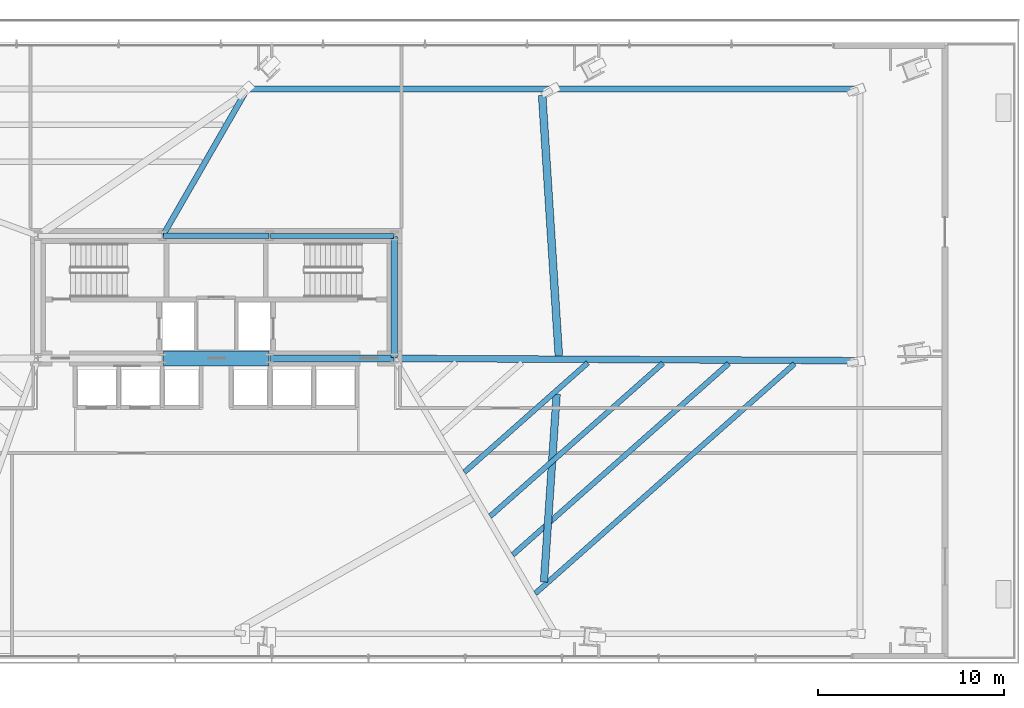
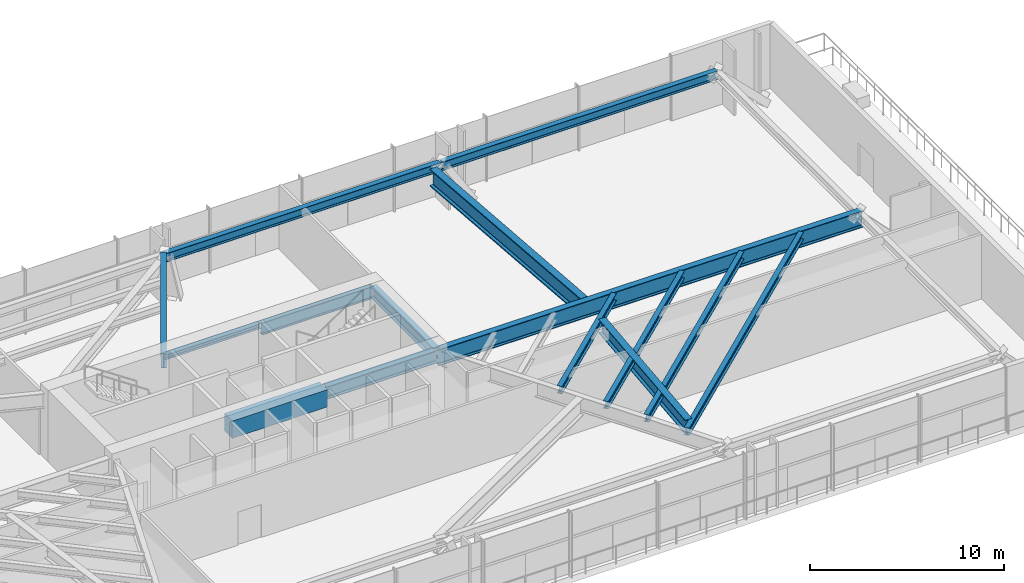
# One storey, part 15 of 33: 15 beams.
"""IFC4 building model written with IfcOpenShell, lengths in metres."""

import ifcopenshell
import ifcopenshell.guid

model = None  # the IFC model being written
_history = None  # IfcOwnerHistory: only IFC2X3 demands one
_inside = {}  # id of a spatial element -> (the spatial element, [elements in it])
_under = {}  # id of a project, library or spatial element -> (it, [spatial elements below it])
_declared = {}  # id of a project -> (the project, [libraries it declares])
_typed = {}  # id of a type object -> (the type object, [elements of that type])
_made_of = {}  # id of a material, layer set ... -> (it, [elements and type objects made of it])


def new_model(schema):
    """Start an empty IFC model of exactly this schema.

    Asked for "IFC4X3", IfcOpenShell would pick the latest addendum, in which some entities
    have other attributes; the version numbers below select the first issue.
    IFC2X3 requires an IfcOwnerHistory on every rooted entity: one is made here for all.
    """
    global model, _history
    if schema == "IFC4X3":
        model = ifcopenshell.file(schema_version=(4, 3, 0, 0))
    else:
        model = ifcopenshell.file(schema=schema)
    _inside.clear()
    _under.clear()
    _declared.clear()
    _typed.clear()
    _made_of.clear()
    _history = None
    if model.schema == "IFC2X3":
        org = make("IfcOrganization", Name="unknown")
        user = make(
            "IfcPersonAndOrganization",
            ThePerson=make("IfcPerson", FamilyName="unknown"),
            TheOrganization=org,
        )
        app = make(
            "IfcApplication",
            ApplicationDeveloper=org,
            Version="unknown",
            ApplicationFullName="unknown",
            ApplicationIdentifier="unknown",
        )
        _history = make(
            "IfcOwnerHistory",
            OwningUser=user,
            OwningApplication=app,
            ChangeAction="ADDED",
            CreationDate=0,
        )
    return model


def make(cls, **values):
    """One entity of the class cls with the attributes given. An attribute that is None is left unset."""
    return model.create_entity(
        cls, **{name: value for name, value in values.items() if value is not None}
    )


def rooted(cls, **values):
    """An entity with a GlobalId (a new one), such as an element, a storey or a relation."""
    return make(cls, GlobalId=ifcopenshell.guid.new(), OwnerHistory=_history, **values)


def si_unit(unit_type, name, prefix=None):
    """IfcSIUnit, for example si_unit("LENGTHUNIT", "METRE", prefix="MILLI")."""
    return make("IfcSIUnit", UnitType=unit_type, Prefix=prefix, Name=name)


def assignment(units):
    """IfcUnitAssignment: the units of a project."""
    return None if units is None else make("IfcUnitAssignment", Units=units)


def point(xyz):
    """IfcCartesianPoint."""
    return None if xyz is None else make("IfcCartesianPoint", Coordinates=xyz)


def direction(xyz):
    """IfcDirection."""
    return None if xyz is None else make("IfcDirection", DirectionRatios=xyz)


def frame(location, z_axis=None, x_axis=None):
    """IfcAxis2Placement3D, a coordinate frame: its origin and axes. An axis left out is left unset."""
    return make(
        "IfcAxis2Placement3D",
        Location=point(location),
        Axis=direction(z_axis),
        RefDirection=direction(x_axis),
    )


def frame_2d(location, x_axis=None):
    """IfcAxis2Placement2D, a coordinate frame in the plane: its origin and x axis."""
    return make(
        "IfcAxis2Placement2D", Location=point(location), RefDirection=direction(x_axis)
    )


def origin():
    """The frame at (0, 0, 0) with its axes left unset."""
    return frame((0.0, 0.0, 0.0))


def origin_2d():
    """The frame at (0, 0) in the plane with its x axis left unset."""
    return frame_2d((0.0, 0.0))


def place(relative_to, where):
    """IfcLocalPlacement: puts the frame where relative to a parent placement (None: the world)."""
    return make(
        "IfcLocalPlacement", PlacementRelTo=relative_to, RelativePlacement=where
    )


def context(
    kind, dimensions, precision=None, world=None, true_north=None, identifier=None
):
    """IfcGeometricRepresentationContext, for example the 3D "Model" context."""
    return make(
        "IfcGeometricRepresentationContext",
        ContextIdentifier=identifier,
        ContextType=kind,
        CoordinateSpaceDimension=dimensions,
        Precision=precision,
        WorldCoordinateSystem=world,
        TrueNorth=true_north,
    )


def subcontext(parent, identifier, kind, view, scale=None):
    """IfcGeometricRepresentationSubContext, for example "Body" below "Model"."""
    return make(
        "IfcGeometricRepresentationSubContext",
        ContextIdentifier=identifier,
        ContextType=kind,
        ParentContext=parent,
        TargetScale=scale,
        TargetView=view,
    )


def project(units=None, contexts=None):
    """IfcProject with its units and contexts."""
    return rooted(
        "IfcProject",
        Name="project",
        RepresentationContexts=contexts,
        UnitsInContext=assignment(units),
    )


def spatial(cls, under=None, at=None, **own):
    """A site, building, storey or space (cls), placed at a placement, below another one or the project."""
    s = rooted(cls, ObjectPlacement=at, **own)
    if under is not None:
        _under.setdefault(under.id(), (under, []))[1].append(s)
    return s


def profile(cls, at=None, kind="AREA", **sizes):
    """A parametric profile (cls). Its sizes go by their IFC names, for example OverallWidth=200.0."""
    return make(cls, ProfileType=kind, Position=at, **sizes)


def rectangle(**sizes):
    """IfcRectangleProfileDef."""
    return profile("IfcRectangleProfileDef", **sizes)


def i_section(**sizes):
    """IfcIShapeProfileDef."""
    return profile("IfcIShapeProfileDef", **sizes)


def extrude(swept, where, along, depth):
    """IfcExtrudedAreaSolid: the profile swept, set in the frame where, extruded along a direction by depth."""
    return make(
        "IfcExtrudedAreaSolid",
        SweptArea=swept,
        Position=where,
        ExtrudedDirection=direction(along),
        Depth=depth,
    )


def shape(context_of_items, identifier, shape_type, items):
    """IfcShapeRepresentation: the items that make up one representation, for example the "Body"."""
    return make(
        "IfcShapeRepresentation",
        ContextOfItems=context_of_items,
        RepresentationIdentifier=identifier,
        RepresentationType=shape_type,
        Items=items,
    )


def source(mapping_origin, context_of_items, identifier, shape_type, items):
    """IfcRepresentationMap: a shape defined once, which mapped items show again and again."""
    return make(
        "IfcRepresentationMap",
        MappingOrigin=mapping_origin,
        MappedRepresentation=shape(context_of_items, identifier, shape_type, items),
    )


def transform(
    local_origin,
    x_axis=None,
    y_axis=None,
    z_axis=None,
    scale=None,
    scale2=None,
    scale3=None,
    uniform=True,
):
    """IfcCartesianTransformationOperator3D, or its non-uniform kind. x_axis, y_axis, z_axis: its Axis1, 2, 3."""
    if uniform:
        return make(
            "IfcCartesianTransformationOperator3D",
            Axis1=direction(x_axis),
            Axis2=direction(y_axis),
            LocalOrigin=point(local_origin),
            Scale=scale,
            Axis3=direction(z_axis),
        )
    return make(
        "IfcCartesianTransformationOperator3DnonUniform",
        Axis1=direction(x_axis),
        Axis2=direction(y_axis),
        LocalOrigin=point(local_origin),
        Scale=scale,
        Axis3=direction(z_axis),
        Scale2=scale2,
        Scale3=scale3,
    )


def mapped(mapping_source, mapping_target):
    """IfcMappedItem: shows the shape of a source again, moved by a transform."""
    return make(
        "IfcMappedItem", MappingSource=mapping_source, MappingTarget=mapping_target
    )


def material(Name=None, Category=None):
    """IfcMaterial."""
    return make("IfcMaterial", Name=Name, Category=Category)


def material_profile(
    of_material, cross_section, Name=None, Category=None, Priority=None
):
    """IfcMaterialProfile: a cross section and its material."""
    return make(
        "IfcMaterialProfile",
        Name=Name,
        Material=of_material,
        Profile=cross_section,
        Priority=Priority,
        Category=Category,
    )


def profile_set(profiles, Name=None, composite=None):
    """IfcMaterialProfileSet."""
    return make(
        "IfcMaterialProfileSet",
        Name=Name,
        MaterialProfiles=profiles,
        CompositeProfile=composite,
    )


def made_of(thing, what):
    """Note that an element or type object is made of a material, layer set ...; save() writes the relation."""
    if what is not None:
        _made_of.setdefault(what.id(), (what, []))[1].append(thing)
    return thing


def type_object(cls, material=None, **own):
    """A type object (cls), such as IfcWallType, which elements share."""
    return made_of(rooted(cls, **own), material)


def type_shapes(of_type, sources):
    """Give a type object the sources (RepresentationMaps) that its elements show as mapped items."""
    of_type.RepresentationMaps = sources


def element(
    cls,
    number,
    at=None,
    inside=None,
    cuts=None,
    type_object=None,
    material=None,
    context=None,
    identifier="Body",
    shape_type=None,
    held_by="IfcProductDefinitionShape",
    body=None,
    shapes=None,
    **own,
):
    """One element of the class cls, such as IfcWall. Its Tag is "e" and its number.

    at: its placement. inside: the storey or other place that contains it. cuts: it is an
    opening in that element (IfcRelVoidsElement). A single representation is given by context,
    identifier, shape_type and body (its items); several are given by shapes. held_by: the class
    of the entity that holds the representations. save() writes the other relations.
    """
    e = rooted(cls, Tag="e%d" % number, ObjectPlacement=at, **own)
    if body is not None:
        shapes = [shape(context, identifier, shape_type, body)]
    if shapes is not None:
        e.Representation = make(held_by, Representations=shapes)
    if inside is not None:
        _inside.setdefault(inside.id(), (inside, []))[1].append(e)
    if cuts is not None:
        rooted(
            "IfcRelVoidsElement", RelatingBuildingElement=cuts, RelatedOpeningElement=e
        )
    if type_object is not None:
        _typed.setdefault(type_object.id(), (type_object, []))[1].append(e)
    return made_of(e, material)


def aggregate(whole, parts):
    """IfcRelAggregates: a whole, such as a stair, and the parts it consists of."""
    return rooted("IfcRelAggregates", RelatingObject=whole, RelatedObjects=parts)


def save(model, path):
    """Write the relations noted so far, then the file.

    IfcRelAggregates (storeys below a building ...), IfcRelContainedInSpatialStructure (elements
    in a storey), IfcRelDefinesByType, IfcRelAssociatesMaterial and IfcRelDeclares: one each for
    every whole, place, type object, material and project.
    """
    for whole, parts in _under.values():
        aggregate(whole, parts)
    for where, things in _inside.values():
        rooted(
            "IfcRelContainedInSpatialStructure",
            RelatedElements=things,
            RelatingStructure=where,
        )
    for kind, things in _typed.values():
        rooted("IfcRelDefinesByType", RelatedObjects=things, RelatingType=kind)
    for what, things in _made_of.values():
        rooted("IfcRelAssociatesMaterial", RelatedObjects=things, RelatingMaterial=what)
    for by, libraries in _declared.values():
        rooted("IfcRelDeclares", RelatingContext=by, RelatedDefinitions=libraries)
    model.write(path)


model = new_model("IFC4")

# Units and contexts
model_context = context("Model", 3, precision=1e-05, world=origin(), true_north=direction((0.0, 1.0)))
body_context = subcontext(model_context, "Body", "Model", "MODEL_VIEW")
ifc_project = project(units=[si_unit("LENGTHUNIT", "METRE"), si_unit("AREAUNIT", "SQUARE_METRE"), si_unit("VOLUMEUNIT", "CUBIC_METRE"), si_unit("PLANEANGLEUNIT", "RADIAN"), si_unit("MASSUNIT", "GRAM", prefix="KILO")], contexts=[model_context])

# Site, building, storey
site_placement = place(None, origin())
site = spatial("IfcSite", under=ifc_project, at=site_placement, CompositionType="ELEMENT")
building_placement = place(site_placement, origin())
building = spatial("IfcBuilding", under=site, at=building_placement, Name="Astriad Promenade Condominiums", CompositionType="ELEMENT")
storey_placement = place(building_placement, frame((0.0, 0.0, 9.5)))
storey = spatial("IfcBuildingStorey", under=building, at=storey_placement, Name="L02", CompositionType="ELEMENT", Elevation=9.5)

# Beams
ifc_material_1 = material(Name="Steel ASTM A992 Grade 50", Category="steel")
ifc_material_profile_1 = material_profile(ifc_material_1, i_section(OverallWidth=0.3837890625, OverallDepth=0.785888671875, WebThickness=0.019775390625, FlangeThickness=0.033447265625, FilletRadius=0.021484375, at=origin_2d()), Name="W30X211")
ifc_profile_set_1 = profile_set([ifc_material_profile_1], Name="Steel ASTM A992 Grade 50")
beam_type_1 = type_object("IfcBeamType", Name="STEEL FLOOR GIRDER W30X211", PredefinedType="BEAM", material=ifc_profile_set_1)
shared_shape_1 = source(origin(), body_context, "Body", "SweptSolid", [
    extrude(i_section(OverallWidth=0.3837890625, OverallDepth=0.785888671875, WebThickness=0.019775390625, FlangeThickness=0.033447265625, FilletRadius=0.021484375, at=origin_2d()), origin(), (0.0, 0.0, 1.0), 6.64013671875),
])
type_shapes(beam_type_1, [shared_shape_1])
beam_1_placement = place(storey_placement, frame((38.919921875, 17.39990234375, 3.68701171875), z_axis=(1.0, 0.0, 0.0), x_axis=(0.0, 1.0, 0.0)))
element("IfcBeam", 1, at=beam_1_placement, inside=storey, type_object=beam_type_1, Name="Core Ring Beam CG-S3-L02", PredefinedType="BEAM", context=body_context, shape_type="MappedRepresentation", body=[
    mapped(shared_shape_1, transform((0.0, 0.0, 0.0), scale=1.0)),
])
ifc_material_2 = material(Name="Concrete C80/95", Category="concrete")
ifc_material_profile_2 = material_profile(ifc_material_2, rectangle(XDim=0.800048828125, YDim=1.10009765625, at=origin_2d()), Name="RC-BM-800X1100")
ifc_profile_set_2 = profile_set([ifc_material_profile_2], Name="Concrete C80/95")
beam_type_2 = type_object("IfcBeamType", Name="CONCRETE CORE COUPLING LINTEL 800X1100", PredefinedType="LINTEL", material=ifc_profile_set_2)
shared_shape_2 = source(origin(), body_context, "Body", "SweptSolid", [
    extrude(rectangle(XDim=0.800048828125, YDim=1.10009765625, at=origin_2d()), origin(), (0.0, 0.0, 1.0), 5.68017578125),
])
type_shapes(beam_type_2, [shared_shape_2])
beam_2_placement = place(storey_placement, frame((33.159912109375, 17.39990234375, 3.530029296875), z_axis=(1.0, 0.0, 0.0), x_axis=(0.0, 1.0, 0.0)))
element("IfcBeam", 2, at=beam_2_placement, inside=storey, type_object=beam_type_2, Name="Core Ring Beam CG-S2-L02", PredefinedType="LINTEL", context=body_context, shape_type="MappedRepresentation", body=[
    mapped(shared_shape_2, transform((0.0, 0.0, 0.0), scale=1.0)),
])
ifc_material_profile_3 = material_profile(ifc_material_1, i_section(OverallWidth=0.267822265625, OverallDepth=0.76953125, WebThickness=0.015625, FlangeThickness=0.025390625, FilletRadius=0.021484375, at=origin_2d()), Name="W30X132")
ifc_profile_set_3 = profile_set([ifc_material_profile_3], Name="Steel ASTM A992 Grade 50")
beam_type_3 = type_object("IfcBeamType", Name="STEEL FLOOR GIRDER W30X132", PredefinedType="BEAM", material=ifc_profile_set_3)
shared_shape_3 = source(origin(), body_context, "Body", "SweptSolid", [
    extrude(i_section(OverallWidth=0.267822265625, OverallDepth=0.76953125, WebThickness=0.015625, FlangeThickness=0.025390625, FilletRadius=0.021484375, at=origin_2d()), origin(), (0.0, 0.0, 1.0), 6.64013671875),
])
type_shapes(beam_type_3, [shared_shape_3])
beam_3_placement = place(storey_placement, frame((38.919921875, 24.0, 3.6953125), z_axis=(1.0, 0.0, 0.0), x_axis=(0.0, 1.0, 0.0)))
element("IfcBeam", 3, at=beam_3_placement, inside=storey, type_object=beam_type_3, Name="Core Ring Beam CG-N3-L02", PredefinedType="BEAM", context=body_context, shape_type="MappedRepresentation", body=[
    mapped(shared_shape_3, transform((0.0, 0.0, 0.0), scale=1.0)),
])
ifc_material_profile_4 = material_profile(ifc_material_1, i_section(OverallWidth=0.3046875, OverallDepth=0.307861328125, WebThickness=0.010009765625, FlangeThickness=0.015380859375, FilletRadius=0.01513671875, at=origin_2d()), Name="W12X65")
ifc_profile_set_4 = profile_set([ifc_material_profile_4], Name="Steel ASTM A992 Grade 50")
beam_type_4 = type_object("IfcBeamType", Name="STEEL OPENING LINTEL W12X65", PredefinedType="LINTEL", material=ifc_profile_set_4)
shared_shape_4 = source(origin(), body_context, "Body", "SweptSolid", [
    extrude(i_section(OverallWidth=0.3046875, OverallDepth=0.307861328125, WebThickness=0.010009765625, FlangeThickness=0.015380859375, FilletRadius=0.01513671875, at=origin_2d()), origin(), (0.0, 0.0, 1.0), 5.68017578125),
])
type_shapes(beam_type_4, [shared_shape_4])
beam_4_placement = place(storey_placement, frame((33.159912109375, 24.0, 3.926025390625), z_axis=(1.0, 0.0, 0.0), x_axis=(0.0, 1.0, 0.0)))
element("IfcBeam", 4, at=beam_4_placement, inside=storey, type_object=beam_type_4, Name="Core Ring Beam CG-N2-L02", PredefinedType="LINTEL", context=body_context, shape_type="MappedRepresentation", body=[
    mapped(shared_shape_4, transform((0.0, 0.0, 0.0), scale=1.0)),
])
ifc_material_profile_5 = material_profile(ifc_material_1, i_section(OverallWidth=0.35791015625, OverallDepth=0.706298828125, WebThickness=0.018310546875, FlangeThickness=0.0302734375, FilletRadius=0.020263671875, at=origin_2d()), Name="W27X178")
ifc_profile_set_5 = profile_set([ifc_material_profile_5], Name="Steel ASTM A992 Grade 50")
beam_type_5 = type_object("IfcBeamType", Name="STEEL FLOOR GIRDER W27X178", PredefinedType="BEAM", material=ifc_profile_set_5)
shared_shape_5 = source(origin(), body_context, "Body", "SweptSolid", [
    extrude(i_section(OverallWidth=0.35791015625, OverallDepth=0.706298828125, WebThickness=0.018310546875, FlangeThickness=0.0302734375, FilletRadius=0.020263671875, at=origin_2d()), origin(), (0.0, 0.0, 1.0), 6.52001953125),
])
type_shapes(beam_type_5, [shared_shape_5])
beam_5_placement = place(storey_placement, frame((45.60009765625, 17.43994140625, 3.726806640625), z_axis=(0.0, 1.0, 0.0), x_axis=(-1.0, 0.0, 0.0)))
element("IfcBeam", 5, at=beam_5_placement, inside=storey, type_object=beam_type_5, Name="Core Ring Beam CG-E1-L02", PredefinedType="BEAM", context=body_context, shape_type="MappedRepresentation", body=[
    mapped(shared_shape_5, transform((0.0, 0.0, 0.0), scale=1.0)),
])
ifc_material_profile_6 = material_profile(ifc_material_1, i_section(OverallWidth=0.3134765625, OverallDepth=0.54638671875, WebThickness=0.013916015625, FlangeThickness=0.022216796875, FilletRadius=0.0166015625, at=origin_2d()), Name="W21X111")
ifc_profile_set_6 = profile_set([ifc_material_profile_6], Name="Steel ASTM A992 Grade 50")
beam_type_6 = type_object("IfcBeamType", Name="STEEL SPANDREL BEAM W21X111", PredefinedType="SPANDREL", material=ifc_profile_set_6)
shared_shape_6 = source(origin(), body_context, "Body", "SweptSolid", [
    extrude(i_section(OverallWidth=0.3134765625, OverallDepth=0.54638671875, WebThickness=0.013916015625, FlangeThickness=0.022216796875, FilletRadius=0.0166015625, at=origin_2d()), origin(), (0.0, 0.0, 1.0), 16.433837890625),
])
type_shapes(beam_type_6, [shared_shape_6])
for number, where, z_axis, x_axis, name in (
    (6, (70.634521484375, 31.913818359375, 3.806884765625), (-1.0, 0.0, 0.0), (0.0, -1.0, 0.0), "Perimeter Spandrel Beam SP-N4-L02"),
    (7, (54.120849609375, 31.913818359375, 3.806884765625), (-1.0, 0.0, 0.0), (0.0, -1.0, 0.0), "Perimeter Spandrel Beam SP-N3-L02"),
):
    element("IfcBeam", number, at=place(storey_placement, frame(where, z_axis=z_axis, x_axis=x_axis)), inside=storey, type_object=beam_type_6, Name=name, PredefinedType="SPANDREL", context=body_context, shape_type="MappedRepresentation", body=[
        mapped(shared_shape_6, transform((0.0, 0.0, 0.0), scale=1.0)),
    ])
ifc_material_profile_7 = material_profile(ifc_material_1, i_section(OverallWidth=0.361083984375, OverallDepth=1.025634765625, WebThickness=0.01904296875, FlangeThickness=0.0361328125, FilletRadius=0.025390625, at=origin_2d()), Name="W40X249")
ifc_profile_set_7 = profile_set([ifc_material_profile_7], Name="Steel ASTM A992 Grade 50")
beam_type_7 = type_object("IfcBeamType", Name="STEEL PODIUM GIRDER W40X249", PredefinedType="BEAM", material=ifc_profile_set_7)
shared_shape_7 = source(origin(), body_context, "Body", "SweptSolid", [
    extrude(i_section(OverallWidth=0.361083984375, OverallDepth=1.025634765625, WebThickness=0.01904296875, FlangeThickness=0.0361328125, FilletRadius=0.025390625, at=origin_2d()), origin(), (0.0, 0.0, 1.0), 25.218017578125),
])
type_shapes(beam_type_7, [shared_shape_7])
beam_6_placement = place(storey_placement, frame((70.857666015625, 17.275634765625, 3.567138671875), z_axis=(-0.999987858725, 0.004927717733, 0.0), x_axis=(-0.004927717733, -0.999987858725, 0.0)))
element("IfcBeam", 8, at=beam_6_placement, inside=storey, type_object=beam_type_7, Name="Primary Floor Girder PG-EM-L02", PredefinedType="BEAM", context=body_context, shape_type="MappedRepresentation", body=[
    mapped(shared_shape_7, transform((0.0, 0.0, 0.0), scale=1.0)),
])
ifc_material_profile_8 = material_profile(ifc_material_1, i_section(OverallWidth=0.307861328125, OverallDepth=0.9267578125, WebThickness=0.019287109375, FlangeThickness=0.031982421875, FilletRadius=0.024169921875, at=origin_2d()), Name="W36X194")
ifc_profile_set_8 = profile_set([ifc_material_profile_8], Name="Steel ASTM A992 Grade 50")
beam_type_8 = type_object("IfcBeamType", Name="STEEL PRIMARY GIRDER W36X194", PredefinedType="BEAM", material=ifc_profile_set_8)
shared_shape_8 = source(origin(), body_context, "Body", "SweptSolid", [
    extrude(i_section(OverallWidth=0.307861328125, OverallDepth=0.9267578125, WebThickness=0.019287109375, FlangeThickness=0.031982421875, FilletRadius=0.024169921875, at=origin_2d()), origin(), (0.0, 0.0, 1.0), 9.12744140625),
])
type_shapes(beam_type_8, [shared_shape_8])
beam_7_placement = place(storey_placement, frame((37.694580078125, 31.9443359375, 3.61669921875), z_axis=(-0.49901679689, -0.866592312695, 0.0), x_axis=(0.866592312695, -0.49901679689, 0.0)))
element("IfcBeam", 9, at=beam_7_placement, inside=storey, type_object=beam_type_8, Name="Primary Floor Girder PG-NC-L02", PredefinedType="BEAM", context=body_context, shape_type="MappedRepresentation", body=[
    mapped(shared_shape_8, transform((0.0, 0.0, 0.0), scale=1.0)),
])
ifc_material_profile_9 = material_profile(ifc_material_1, i_section(OverallWidth=0.283203125, OverallDepth=0.47216796875, WebThickness=0.013671875, FlangeThickness=0.022216796875, FilletRadius=0.01513671875, at=origin_2d()), Name="W18X97")
ifc_profile_set_9 = profile_set([ifc_material_profile_9], Name="Steel ASTM A992 Grade 50")
beam_type_9 = type_object("IfcBeamType", Name="STEEL FLOOR JOIST W18X97", PredefinedType="JOIST", material=ifc_profile_set_9)
shared_shape_9 = source(origin(), body_context, "Body", "SweptSolid", [
    extrude(i_section(OverallWidth=0.283203125, OverallDepth=0.47216796875, WebThickness=0.013671875, FlangeThickness=0.022216796875, FilletRadius=0.01513671875, at=origin_2d()), origin(), (0.0, 0.0, 1.0), 18.64111328125),
])
beam_8_placement = place(storey_placement, frame((53.1923828125, 4.745849609375, 3.843994140625), z_axis=(0.748531158252, 0.663099619308, 0.0), x_axis=(-0.663099619308, 0.748531158252, 0.0)))
element("IfcBeam", 10, at=beam_8_placement, inside=storey, type_object=beam_type_9, Name="Secondary Composite Floor Joist JE1-1-L02", PredefinedType="JOIST", context=body_context, shape_type="MappedRepresentation", body=[
    mapped(shared_shape_9, transform((0.0, 0.0, 0.0), scale=1.0)),
])
shared_shape_10 = source(origin(), body_context, "Body", "SweptSolid", [
    extrude(i_section(OverallWidth=0.283203125, OverallDepth=0.47216796875, WebThickness=0.013671875, FlangeThickness=0.022216796875, FilletRadius=0.01513671875, at=origin_2d()), origin(), (0.0, 0.0, 1.0), 15.533203125),
])
beam_9_placement = place(storey_placement, frame((51.976806640625, 6.823974609375, 3.843994140625), z_axis=(0.748534684396, 0.663095638845, 0.0), x_axis=(-0.663095638845, 0.748534684396, 0.0)))
element("IfcBeam", 11, at=beam_9_placement, inside=storey, type_object=beam_type_9, Name="Secondary Composite Floor Joist JE1-2-L02", PredefinedType="JOIST", context=body_context, shape_type="MappedRepresentation", body=[
    mapped(shared_shape_10, transform((0.0, 0.0, 0.0), scale=1.0)),
])
shared_shape_11 = source(origin(), body_context, "Body", "SweptSolid", [
    extrude(i_section(OverallWidth=0.283203125, OverallDepth=0.47216796875, WebThickness=0.013671875, FlangeThickness=0.022216796875, FilletRadius=0.01513671875, at=origin_2d()), origin(), (0.0, 0.0, 1.0), 12.42626953125),
])
beam_10_placement = place(storey_placement, frame((50.760986328125, 8.90185546875, 3.843994140625), z_axis=(0.74853774786, 0.663092180642, 0.0), x_axis=(-0.663092180642, 0.74853774786, 0.0)))
element("IfcBeam", 12, at=beam_10_placement, inside=storey, type_object=beam_type_9, Name="Secondary Composite Floor Joist JE1-3-L02", PredefinedType="JOIST", context=body_context, shape_type="MappedRepresentation", body=[
    mapped(shared_shape_11, transform((0.0, 0.0, 0.0), scale=1.0)),
])
shared_shape_12 = source(origin(), body_context, "Body", "SweptSolid", [
    extrude(i_section(OverallWidth=0.283203125, OverallDepth=0.47216796875, WebThickness=0.013671875, FlangeThickness=0.022216796875, FilletRadius=0.01513671875, at=origin_2d()), origin(), (0.0, 0.0, 1.0), 8.874755859375),
])
type_shapes(beam_type_9, [shared_shape_9, shared_shape_10, shared_shape_11, shared_shape_12])
beam_11_placement = place(storey_placement, frame((49.371826171875, 11.276611328125, 3.843994140625), z_axis=(0.74853746258, 0.663092502683, 0.0), x_axis=(-0.663092502683, 0.74853746258, 0.0)))
element("IfcBeam", 13, at=beam_11_placement, inside=storey, type_object=beam_type_9, Name="Secondary Composite Floor Joist JE1-4-L02", PredefinedType="JOIST", context=body_context, shape_type="MappedRepresentation", body=[
    mapped(shared_shape_12, transform((0.0, 0.0, 0.0), scale=1.0)),
])
ifc_material_profile_10 = material_profile(ifc_material_1, i_section(OverallWidth=0.4013671875, OverallDepth=0.877197265625, WebThickness=0.022216796875, FlangeThickness=0.039794921875, FilletRadius=0.02294921875, at=origin_2d()), Name="W33X263")
ifc_profile_set_10 = profile_set([ifc_material_profile_10], Name="Steel ASTM A992 Grade 50")
beam_type_10 = type_object("IfcBeamType", Name="STEEL TRANSFER CARRIER GIRDER W33X263", PredefinedType="BEAM", material=ifc_profile_set_10)
shared_shape_13 = source(origin(), body_context, "Body", "SweptSolid", [
    extrude(i_section(OverallWidth=0.4013671875, OverallDepth=0.877197265625, WebThickness=0.022216796875, FlangeThickness=0.039794921875, FilletRadius=0.02294921875, at=origin_2d()), origin(), (0.0, 0.0, 1.0), 10.148193359375),
])
type_shapes(beam_type_10, [shared_shape_13])
beam_12_placement = place(storey_placement, frame((54.339111328125, 15.478515625, 3.6416015625), z_axis=(-0.067481819388, -0.997720503975, 0.0), x_axis=(0.997720503975, -0.067481819388, 0.0)))
element("IfcBeam", 14, at=beam_12_placement, inside=storey, type_object=beam_type_10, Name="Transfer Splice Carrier TRM-SP-PC04-L02", PredefinedType="BEAM", context=body_context, shape_type="MappedRepresentation", body=[
    mapped(shared_shape_13, transform((0.0, 0.0, 0.0), scale=1.0)),
])
ifc_material_profile_11 = material_profile(ifc_material_1, i_section(OverallWidth=0.4169921875, OverallDepth=1.093505859375, WebThickness=0.0390625, FlangeThickness=0.070068359375, FilletRadius=0.025390625, at=origin_2d()), Name="W40X503")
ifc_profile_set_11 = profile_set([ifc_material_profile_11], Name="Steel ASTM A992 Grade 50")
beam_type_11 = type_object("IfcBeamType", Name="STEEL TRANSFER GIRDER W40X503", PredefinedType="BEAM", material=ifc_profile_set_11)
shared_shape_14 = source(origin(), body_context, "Body", "SweptSolid", [
    extrude(i_section(OverallWidth=0.4169921875, OverallDepth=1.093505859375, WebThickness=0.0390625, FlangeThickness=0.070068359375, FilletRadius=0.025390625, at=origin_2d()), origin(), (0.0, 0.0, 1.0), 14.04248046875),
])
type_shapes(beam_type_11, [shared_shape_14])
beam_13_placement = place(storey_placement, frame((54.4541015625, 17.547119140625, 3.533203125), z_axis=(-0.063771257285, 0.997964541827, 0.0), x_axis=(-0.997964541827, -0.063771257285, 0.0)))
element("IfcBeam", 15, at=beam_13_placement, inside=storey, type_object=beam_type_11, Name="Transfer Splice Carrier TRM-SP-PC09-L02", PredefinedType="BEAM", context=body_context, shape_type="MappedRepresentation", body=[
    mapped(shared_shape_14, transform((0.0, 0.0, 0.0), scale=1.0)),
])

save(model, "model.ifc")
